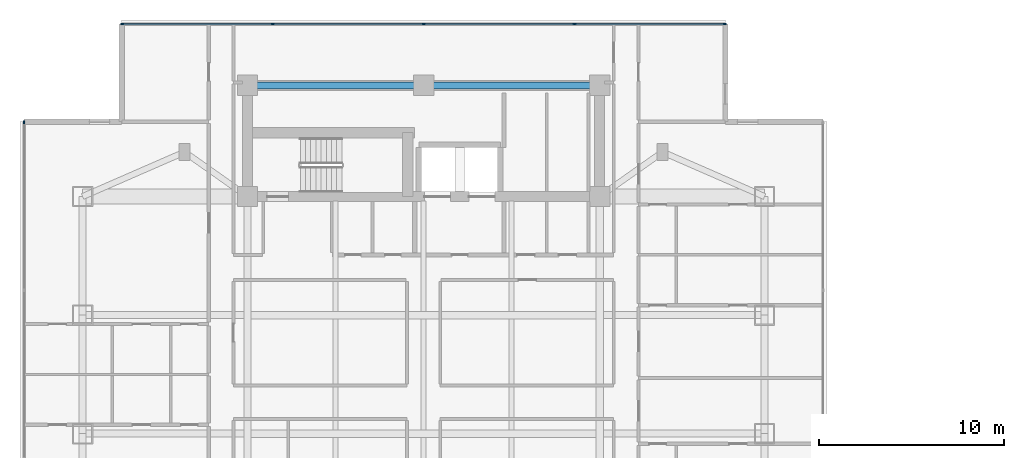
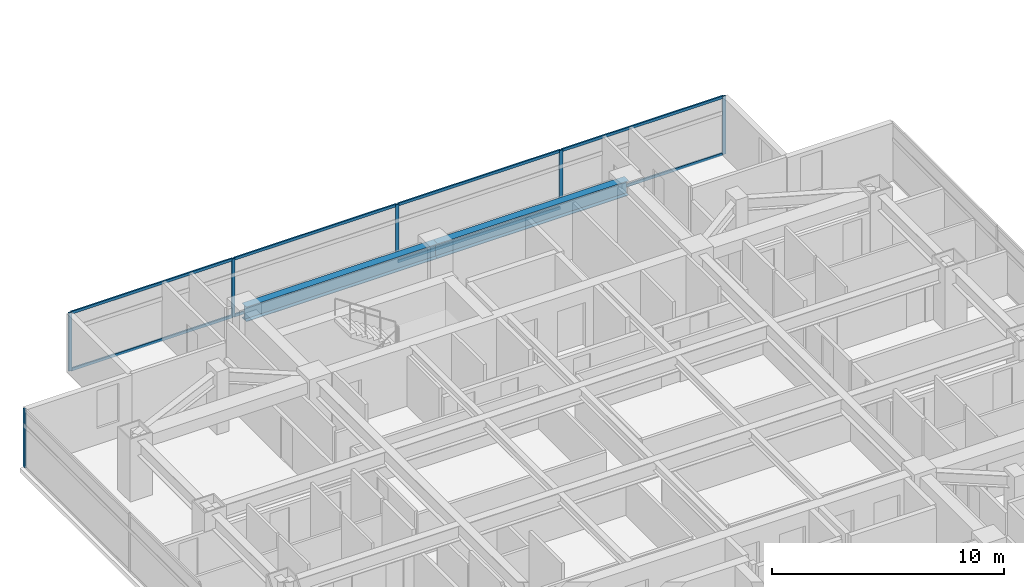
# One storey, part 6 of 24: 14 members, 2 beams, 2 elements without a shape of their own.
"""IFC4 building model written with IfcOpenShell, lengths in metres."""

from ifc_helpers import new_model, si_unit, direction, frame, origin, origin_2d, place, context, subcontext, project, spatial, rectangle, i_section, extrude, material, material_profile, profile_set, type_object, element, aggregate, save


model = new_model("IFC4")

# Units and contexts
model_context = context("Model", 3, precision=1e-05, world=origin(), true_north=direction((0.0, 1.0)))
body_context = subcontext(model_context, "Body", "Model", "MODEL_VIEW")
ifc_project = project(units=[si_unit("LENGTHUNIT", "METRE"), si_unit("AREAUNIT", "SQUARE_METRE"), si_unit("VOLUMEUNIT", "CUBIC_METRE"), si_unit("PLANEANGLEUNIT", "RADIAN"), si_unit("MASSUNIT", "GRAM", prefix="KILO")], contexts=[model_context])

# Site, building, storey
site_placement = place(None, origin())
site = spatial("IfcSite", under=ifc_project, at=site_placement, CompositionType="ELEMENT")
building_placement = place(site_placement, origin())
building = spatial("IfcBuilding", under=site, at=building_placement, Name="Mirazonda Arch Towers", CompositionType="ELEMENT")
storey_placement = place(building_placement, frame((0.0, 0.0, 137.89990234375)))
storey = spatial("IfcBuildingStorey", under=building, at=storey_placement, Name="L39", CompositionType="ELEMENT", Elevation=137.89990234375)

# Beams
ifc_material_1 = material(Name="Steel ASTM A992 Grade 50", Category="steel")
ifc_material_profile_1 = material_profile(ifc_material_1, i_section(OverallWidth=0.381103515625, OverallDepth=0.77294921875, WebThickness=0.0166015625, FlangeThickness=0.027099609375, at=origin_2d()), Name="W30X173")
ifc_profile_set_1 = profile_set([ifc_material_profile_1], Name="Steel ASTM A992 Grade 50")
beam_type = type_object("IfcBeamType", Name="BM-INT-W30X173", PredefinedType="USERDEFINED", material=ifc_profile_set_1)
for number, where, z_axis, x_axis, name in (
    (1, (11.0, 43.60009765625, 2.693603515625), (1.0, 0.0, 0.0), (0.0, 1.0, 0.0), "L39 Floor Beam BM-T1-L39-CN1"),
    (2, (20.5, 43.60009765625, 2.693603515625), (1.0, 0.0, 0.0), (0.0, 1.0, 0.0), "L39 Floor Beam BM-T1-L39-CN2"),
):
    element("IfcBeam", number, at=place(storey_placement, frame(where, z_axis=z_axis, x_axis=x_axis)), inside=storey, type_object=beam_type, Name=name, ObjectType="GIRDER", PredefinedType="USERDEFINED", context=body_context, shape_type="SweptSolid", body=[
        extrude(i_section(OverallWidth=0.381103515625, OverallDepth=0.77294921875, WebThickness=0.0166015625, FlangeThickness=0.027099609375, at=origin_2d()), origin(), (0.0, 0.0, 1.0), 9.5),
    ])

# Curtain wall, members
ifc_material_2 = material(Name="Anodised Aluminium and Low-E Glass", Category="aluminium")
curtain_wall_type = type_object("IfcCurtainWallType", Name="CW-HTL-UNIT", PredefinedType="NOTDEFINED", material=ifc_material_2)
curtain_wall_1_placement = place(storey_placement, origin())
curtain_wall_1 = element("IfcCurtainWall", 3, at=curtain_wall_1_placement, inside=storey, type_object=curtain_wall_type, Name="L39 T1 N Facade CW-L39-T1-N", PredefinedType="NOTDEFINED")
ifc_material_3 = material(Name="Anodised Aluminium Alloy", Category="aluminium")
ifc_material_profile_2 = material_profile(ifc_material_3, rectangle(XDim=0.074951171875, YDim=0.1650390625, at=origin_2d()), Name="ALU-MULL-75x165")
ifc_profile_set_2 = profile_set([ifc_material_profile_2], Name="Anodised Aluminium Alloy")
member_type_1 = type_object("IfcMemberType", Name="MULL-CW-HTL-UNIT", PredefinedType="MULLION", material=ifc_profile_set_2)
member_1_placement = place(storey_placement, frame((4.24755859375, 46.907958984375, 0.0), z_axis=(0.0, 0.0, 1.0), x_axis=(0.0, 1.0, 0.0)))
member_1 = element("IfcMember", 4, at=member_1_placement, type_object=member_type_1, Name="CW-112 mullion 1", PredefinedType="MULLION", context=body_context, shape_type="SweptSolid", body=[
    extrude(rectangle(XDim=0.074951171875, YDim=0.1650390625, at=origin_2d()), origin(), (0.0, 0.0, 1.0), 3.06005859375),
])
member_2_placement = place(storey_placement, frame((12.35498046875, 46.907958984375, 0.0), z_axis=(0.0, 0.0, 1.0), x_axis=(0.0, 1.0, 0.0)))
member_2 = element("IfcMember", 5, at=member_2_placement, type_object=member_type_1, Name="CW-112 mullion 2", PredefinedType="MULLION", context=body_context, shape_type="SweptSolid", body=[
    extrude(rectangle(XDim=0.074951171875, YDim=0.1650390625, at=origin_2d()), origin(), (0.0, 0.0, 1.0), 3.06005859375),
])
member_3_placement = place(storey_placement, frame((20.5, 46.907958984375, 0.0), z_axis=(0.0, 0.0, 1.0), x_axis=(0.0, 1.0, 0.0)))
member_3 = element("IfcMember", 6, at=member_3_placement, type_object=member_type_1, Name="CW-112 mullion 3", PredefinedType="MULLION", context=body_context, shape_type="SweptSolid", body=[
    extrude(rectangle(XDim=0.074951171875, YDim=0.1650390625, at=origin_2d()), origin(), (0.0, 0.0, 1.0), 3.06005859375),
])
member_4_placement = place(storey_placement, frame((28.64501953125, 46.907958984375, 0.0), z_axis=(0.0, 0.0, 1.0), x_axis=(0.0, 1.0, 0.0)))
member_4 = element("IfcMember", 7, at=member_4_placement, type_object=member_type_1, Name="CW-112 mullion 4", PredefinedType="MULLION", context=body_context, shape_type="SweptSolid", body=[
    extrude(rectangle(XDim=0.074951171875, YDim=0.1650390625, at=origin_2d()), origin(), (0.0, 0.0, 1.0), 3.06005859375),
])
member_5_placement = place(storey_placement, frame((36.75244140625, 46.907958984375, 0.0), z_axis=(0.0, 0.0, 1.0), x_axis=(0.0, 1.0, 0.0)))
member_5 = element("IfcMember", 8, at=member_5_placement, type_object=member_type_1, Name="CW-112 mullion 5", PredefinedType="MULLION", context=body_context, shape_type="SweptSolid", body=[
    extrude(rectangle(XDim=0.074951171875, YDim=0.1650390625, at=origin_2d()), origin(), (0.0, 0.0, 1.0), 3.06005859375),
])

# Curtain wall, member
curtain_wall_2_placement = place(storey_placement, origin())
curtain_wall_2 = element("IfcCurtainWall", 9, at=curtain_wall_2_placement, inside=storey, type_object=curtain_wall_type, Name="L39 T1 W Facade CW-L39-T1-W", PredefinedType="NOTDEFINED")
member_6_placement = place(storey_placement, frame((-1.06005859375, 41.6005859375, 0.0), z_axis=(0.0, 0.0, 1.0), x_axis=(1.0, 0.0, 0.0)))
member_6 = element("IfcMember", 10, at=member_6_placement, type_object=member_type_1, Name="CW-112 mullion 1", PredefinedType="MULLION", context=body_context, shape_type="SweptSolid", body=[
    extrude(rectangle(XDim=0.074951171875, YDim=0.1650390625, at=origin_2d()), origin(), (0.0, 0.0, 1.0), 3.06005859375),
])
aggregate(curtain_wall_2, [member_6])

# Member
ifc_material_profile_3 = material_profile(ifc_material_3, rectangle(XDim=0.074951171875, YDim=0.14501953125, at=origin_2d()), Name="ALU-TRAN-75x145")
ifc_profile_set_3 = profile_set([ifc_material_profile_3], Name="Anodised Aluminium Alloy")
member_type_2 = type_object("IfcMemberType", Name="TRAN-CW-HTL-UNIT", PredefinedType="USERDEFINED", material=ifc_profile_set_3)
member_7_placement = place(storey_placement, frame((4.284912109375, 46.907958984375, 0.03759765625), z_axis=(1.0, 0.0, 0.0), x_axis=(0.0, 1.0, 0.0)))
member_7 = element("IfcMember", 11, at=member_7_placement, type_object=member_type_2, Name="CW-112 transom 1.1", ObjectType="TRANSOM", PredefinedType="USERDEFINED", context=body_context, shape_type="SweptSolid", body=[
    extrude(rectangle(XDim=0.074951171875, YDim=0.14501953125, at=origin_2d()), origin(), (0.0, 0.0, 1.0), 8.032470703125),
])

member_8_placement = place(storey_placement, frame((4.284912109375, 46.907958984375, 3.022705078125), z_axis=(1.0, 0.0, 0.0), x_axis=(0.0, 1.0, 0.0)))
member_8 = element("IfcMember", 12, at=member_8_placement, type_object=member_type_2, Name="CW-112 transom 1.2", ObjectType="TRANSOM", PredefinedType="USERDEFINED", context=body_context, shape_type="SweptSolid", body=[
    extrude(rectangle(XDim=0.074951171875, YDim=0.14501953125, at=origin_2d()), origin(), (0.0, 0.0, 1.0), 8.032470703125),
])

member_9_placement = place(storey_placement, frame((12.392578125, 46.907958984375, 0.03759765625), z_axis=(1.0, 0.0, 0.0), x_axis=(0.0, 1.0, 0.0)))
member_9 = element("IfcMember", 13, at=member_9_placement, type_object=member_type_2, Name="CW-112 transom 2.1", ObjectType="TRANSOM", PredefinedType="USERDEFINED", context=body_context, shape_type="SweptSolid", body=[
    extrude(rectangle(XDim=0.074951171875, YDim=0.14501953125, at=origin_2d()), origin(), (0.0, 0.0, 1.0), 8.06982421875),
])

member_10_placement = place(storey_placement, frame((12.392578125, 46.907958984375, 3.022705078125), z_axis=(1.0, 0.0, 0.0), x_axis=(0.0, 1.0, 0.0)))
member_10 = element("IfcMember", 14, at=member_10_placement, type_object=member_type_2, Name="CW-112 transom 2.2", ObjectType="TRANSOM", PredefinedType="USERDEFINED", context=body_context, shape_type="SweptSolid", body=[
    extrude(rectangle(XDim=0.074951171875, YDim=0.14501953125, at=origin_2d()), origin(), (0.0, 0.0, 1.0), 8.06982421875),
])

member_11_placement = place(storey_placement, frame((20.53759765625, 46.907958984375, 0.03759765625), z_axis=(1.0, 0.0, 0.0), x_axis=(0.0, 1.0, 0.0)))
member_11 = element("IfcMember", 15, at=member_11_placement, type_object=member_type_2, Name="CW-112 transom 3.1", ObjectType="TRANSOM", PredefinedType="USERDEFINED", context=body_context, shape_type="SweptSolid", body=[
    extrude(rectangle(XDim=0.074951171875, YDim=0.14501953125, at=origin_2d()), origin(), (0.0, 0.0, 1.0), 8.06982421875),
])

member_12_placement = place(storey_placement, frame((20.53759765625, 46.907958984375, 3.022705078125), z_axis=(1.0, 0.0, 0.0), x_axis=(0.0, 1.0, 0.0)))
member_12 = element("IfcMember", 16, at=member_12_placement, type_object=member_type_2, Name="CW-112 transom 3.2", ObjectType="TRANSOM", PredefinedType="USERDEFINED", context=body_context, shape_type="SweptSolid", body=[
    extrude(rectangle(XDim=0.074951171875, YDim=0.14501953125, at=origin_2d()), origin(), (0.0, 0.0, 1.0), 8.06982421875),
])

member_13_placement = place(storey_placement, frame((28.6826171875, 46.907958984375, 0.03759765625), z_axis=(1.0, 0.0, 0.0), x_axis=(0.0, 1.0, 0.0)))
member_13 = element("IfcMember", 17, at=member_13_placement, type_object=member_type_2, Name="CW-112 transom 4.1", ObjectType="TRANSOM", PredefinedType="USERDEFINED", context=body_context, shape_type="SweptSolid", body=[
    extrude(rectangle(XDim=0.074951171875, YDim=0.14501953125, at=origin_2d()), origin(), (0.0, 0.0, 1.0), 8.032470703125),
])

member_14_placement = place(storey_placement, frame((28.6826171875, 46.907958984375, 3.022705078125), z_axis=(1.0, 0.0, 0.0), x_axis=(0.0, 1.0, 0.0)))
member_14 = element("IfcMember", 18, at=member_14_placement, type_object=member_type_2, Name="CW-112 transom 4.2", ObjectType="TRANSOM", PredefinedType="USERDEFINED", context=body_context, shape_type="SweptSolid", body=[
    extrude(rectangle(XDim=0.074951171875, YDim=0.14501953125, at=origin_2d()), origin(), (0.0, 0.0, 1.0), 8.032470703125),
])

aggregate(curtain_wall_1, [member_1, member_2, member_3, member_4, member_5, member_7, member_8, member_9, member_10, member_11, member_12, member_13, member_14])

save(model, "model.ifc")
